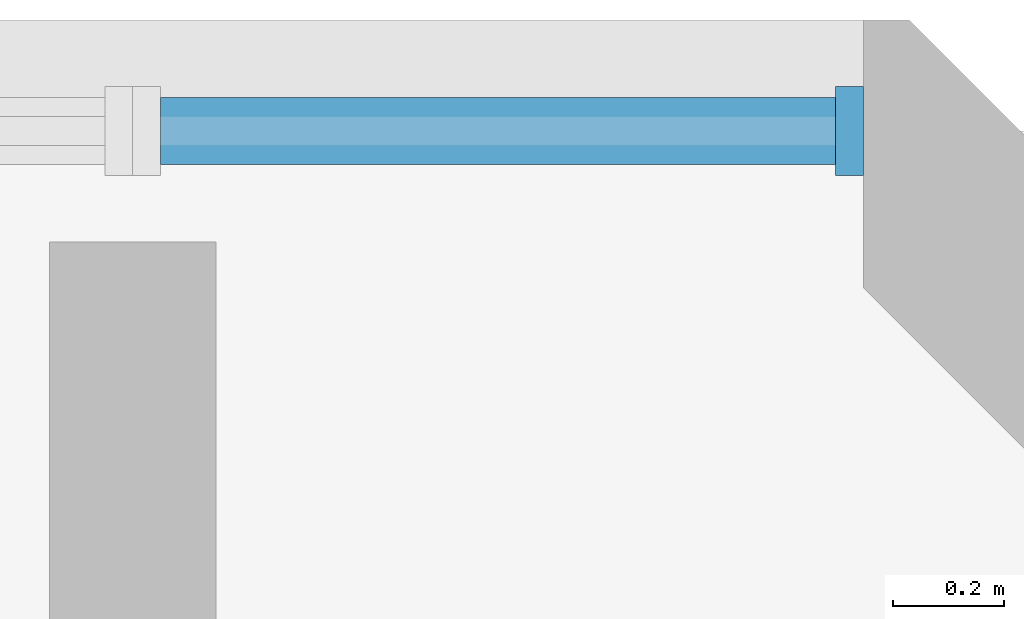
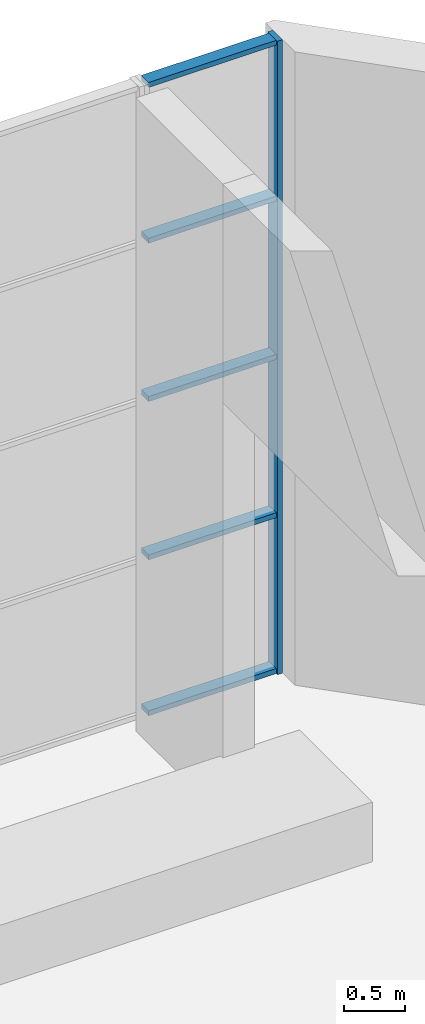
# One storey, part 3 of 13: 6 members, 1 element without a shape of its own.
"""IFC4 building model written with IfcOpenShell, lengths in metres."""

from ifc_helpers import new_model, si_unit, direction, frame, origin, origin_2d, place, context, subcontext, project, spatial, rectangle, extrude, material, layer, layer_set, material_profile, profile_set, type_object, element, aggregate, save


model = new_model("IFC4")

# Units and contexts
model_context = context("Model", 3, precision=1e-05, world=origin(), true_north=direction((0.0, 1.0)))
body_context = subcontext(model_context, "Body", "Model", "MODEL_VIEW")
ifc_project = project(units=[si_unit("LENGTHUNIT", "METRE"), si_unit("AREAUNIT", "SQUARE_METRE"), si_unit("VOLUMEUNIT", "CUBIC_METRE"), si_unit("PLANEANGLEUNIT", "RADIAN"), si_unit("MASSUNIT", "GRAM", prefix="KILO")], contexts=[model_context])

# Site, building, storey
site_placement = place(None, origin())
site = spatial("IfcSite", under=ifc_project, at=site_placement, CompositionType="ELEMENT")
building_placement = place(site_placement, origin())
building = spatial("IfcBuilding", under=site, at=building_placement, Name="Poui Terraces", CompositionType="ELEMENT")
storey_placement = place(building_placement, frame((0.0, 0.0, 165.300048828125)))
storey = spatial("IfcBuildingStorey", under=building, at=storey_placement, Name="L46", CompositionType="ELEMENT", Elevation=165.300048828125)

# Curtain wall, members
ifc_material_1 = material(Name="Clear glass", Category="glass")
ifc_layer = layer(ifc_material_1, 0.159912109375)
ifc_layer_set = layer_set([ifc_layer], Name="Clear glass")
curtain_wall_type = type_object("IfcCurtainWallType", Name="CURTAIN WALL CW-D SKY GARDEN GLAZING", PredefinedType="NOTDEFINED", material=ifc_layer_set)
curtain_wall_placement = place(storey_placement, origin())
curtain_wall = element("IfcCurtainWall", 1, at=curtain_wall_placement, inside=storey, type_object=curtain_wall_type, Name="CW-D SKY GARDEN GLAZING", PredefinedType="NOTDEFINED")
ifc_material_2 = material(Name="Aluminium frame", Category="aluminium")
ifc_material_profile_1 = material_profile(ifc_material_2, rectangle(XDim=0.159912109375, YDim=0.050048828125, at=origin_2d()), Name="CW-D MULLION 50X160")
ifc_profile_set_1 = profile_set([ifc_material_profile_1], Name="Aluminium frame")
member_type_1 = type_object("IfcMemberType", Name="CW-D MULLION 50X160", PredefinedType="MULLION", material=ifc_profile_set_1)
member_1_placement = place(storey_placement, frame((79.292236328125, 42.39990234375, 0.0), z_axis=(0.0, 0.0, 1.0), x_axis=(0.0, -1.0, 0.0)))
member_1 = element("IfcMember", 2, at=member_1_placement, type_object=member_type_1, Name="CW-D mullion 1", PredefinedType="MULLION", context=body_context, shape_type="SweptSolid", body=[
    extrude(rectangle(XDim=0.159912109375, YDim=0.050048828125, at=origin_2d()), origin(), (0.0, 0.0, 1.0), 6.3798828125),
])
ifc_material_profile_2 = material_profile(ifc_material_2, rectangle(XDim=0.1201171875, YDim=0.050048828125, at=origin_2d()), Name="CW-D TRANSOM 50X120")
ifc_profile_set_2 = profile_set([ifc_material_profile_2], Name="Aluminium frame")
member_type_2 = type_object("IfcMemberType", Name="CW-D TRANSOM 50X120", PredefinedType="USERDEFINED", material=ifc_profile_set_2)
member_2_placement = place(storey_placement, frame((79.26708984375, 42.39990234375, 0.02490234375), z_axis=(-1.0, 0.0, 0.0), x_axis=(0.0, -1.0, 0.0)))
member_2 = element("IfcMember", 3, at=member_2_placement, type_object=member_type_2, Name="CW-D transom 1.1", ObjectType="TRANSOM", PredefinedType="USERDEFINED", context=body_context, shape_type="SweptSolid", body=[
    extrude(rectangle(XDim=0.1201171875, YDim=0.050048828125, at=origin_2d()), origin(), (0.0, 0.0, 1.0), 1.217041015625),
])
member_3_placement = place(storey_placement, frame((79.26708984375, 42.39990234375, 1.594970703125), z_axis=(-1.0, 0.0, 0.0), x_axis=(0.0, -1.0, 0.0)))
member_3 = element("IfcMember", 4, at=member_3_placement, type_object=member_type_2, Name="CW-D transom 1.2", ObjectType="TRANSOM", PredefinedType="USERDEFINED", context=body_context, shape_type="SweptSolid", body=[
    extrude(rectangle(XDim=0.1201171875, YDim=0.050048828125, at=origin_2d()), origin(), (0.0, 0.0, 1.0), 1.217041015625),
])
member_4_placement = place(storey_placement, frame((79.26708984375, 42.39990234375, 3.18994140625), z_axis=(-1.0, 0.0, 0.0), x_axis=(0.0, -1.0, 0.0)))
member_4 = element("IfcMember", 5, at=member_4_placement, type_object=member_type_2, Name="CW-D transom 1.3", ObjectType="TRANSOM", PredefinedType="USERDEFINED", context=body_context, shape_type="SweptSolid", body=[
    extrude(rectangle(XDim=0.1201171875, YDim=0.050048828125, at=origin_2d()), origin(), (0.0, 0.0, 1.0), 1.217041015625),
])
member_5_placement = place(storey_placement, frame((79.26708984375, 42.39990234375, 4.784912109375), z_axis=(-1.0, 0.0, 0.0), x_axis=(0.0, -1.0, 0.0)))
member_5 = element("IfcMember", 6, at=member_5_placement, type_object=member_type_2, Name="CW-D transom 1.4", ObjectType="TRANSOM", PredefinedType="USERDEFINED", context=body_context, shape_type="SweptSolid", body=[
    extrude(rectangle(XDim=0.1201171875, YDim=0.050048828125, at=origin_2d()), origin(), (0.0, 0.0, 1.0), 1.217041015625),
])
member_6_placement = place(storey_placement, frame((79.26708984375, 42.39990234375, 6.35498046875), z_axis=(-1.0, 0.0, 0.0), x_axis=(0.0, -1.0, 0.0)))
member_6 = element("IfcMember", 7, at=member_6_placement, type_object=member_type_2, Name="CW-D transom 1.5", ObjectType="TRANSOM", PredefinedType="USERDEFINED", context=body_context, shape_type="SweptSolid", body=[
    extrude(rectangle(XDim=0.1201171875, YDim=0.050048828125, at=origin_2d()), origin(), (0.0, 0.0, 1.0), 1.217041015625),
])
aggregate(curtain_wall, [member_1, member_2, member_3, member_4, member_5, member_6])

save(model, "model.ifc")
